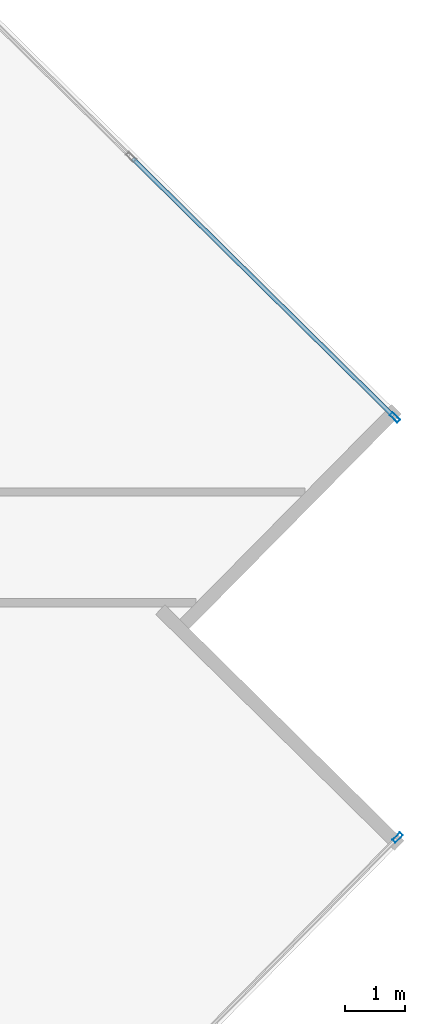
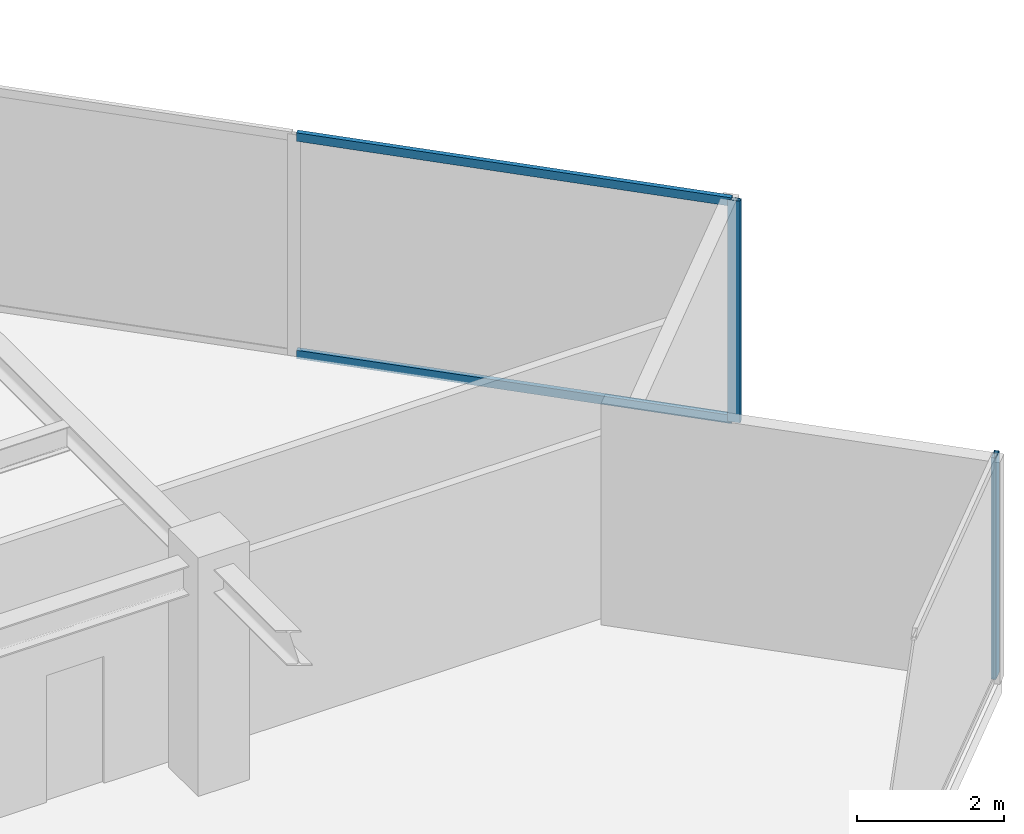
# One storey, part 12 of 24: 4 members, 2 elements without a shape of their own.
"""IFC4 building model written with IfcOpenShell, lengths in metres."""

from ifc_helpers import new_model, si_unit, direction, frame, origin, origin_2d, place, context, subcontext, project, spatial, hollow_rectangle, extrude, source, transform, mapped, material, material_profile, profile_set, type_object, type_shapes, element, aggregate, save


model = new_model("IFC4")

# Units and contexts
model_context = context("Model", 3, precision=1e-05, world=origin(), true_north=direction((0.0, 1.0)))
body_context = subcontext(model_context, "Body", "Model", "MODEL_VIEW")
ifc_project = project(units=[si_unit("LENGTHUNIT", "METRE"), si_unit("AREAUNIT", "SQUARE_METRE"), si_unit("VOLUMEUNIT", "CUBIC_METRE"), si_unit("PLANEANGLEUNIT", "RADIAN"), si_unit("MASSUNIT", "GRAM", prefix="KILO")], contexts=[model_context])

# Site, building, storey
site_placement = place(None, origin())
site = spatial("IfcSite", under=ifc_project, at=site_placement, CompositionType="ELEMENT")
building_placement = place(site_placement, origin())
building = spatial("IfcBuilding", under=site, at=building_placement, Name="Krantzveldt Concourse Tower", CompositionType="ELEMENT")
storey_placement = place(building_placement, frame((0.0, 0.0, 231.0)))
storey = spatial("IfcBuildingStorey", under=building, at=storey_placement, Name="L56", CompositionType="ELEMENT", Elevation=231.0)

# Curtain wall, member
ifc_material = material(Name="Anodised aluminium 6063-T6", Category="aluminium")
curtain_wall_type = type_object("IfcCurtainWallType", Name="CW3", PredefinedType="USERDEFINED", material=ifc_material)
curtain_wall_1_placement = place(storey_placement, origin())
curtain_wall_1 = element("IfcCurtainWall", 1, at=curtain_wall_1_placement, inside=storey, type_object=curtain_wall_type, Name="CW-L56-F07", ObjectType="UNITISED CURTAIN WALL", PredefinedType="USERDEFINED")
ifc_material_profile_1 = material_profile(ifc_material, hollow_rectangle(XDim=0.070068359375, YDim=0.179931640625, WallThickness=0.0048828125, at=origin_2d()), Name="Anodised aluminium 6063-T6", Category="aluminium")
ifc_profile_set_1 = profile_set([ifc_material_profile_1], Name="Anodised aluminium 6063-T6 - ALU-MULL 180x70x5")
member_type_1 = type_object("IfcMemberType", Name="CW-MUL-180", PredefinedType="MULLION", material=ifc_profile_set_1)
shared_shape_1 = source(origin(), body_context, "Body", "SweptSolid", [
    extrude(hollow_rectangle(XDim=0.070068359375, YDim=0.179931640625, WallThickness=0.0048828125, at=origin_2d()), origin(), (0.0, 0.0, 1.0), 3.669921875),
])
type_shapes(member_type_1, [shared_shape_1])
member_1_placement = place(storey_placement, frame((61.389892578125, 23.369384765625, 0.0), z_axis=(0.0, 0.0, 1.0), x_axis=(-0.711719700179, 0.702463570854, 0.0)))
member_1 = element("IfcMember", 2, at=member_1_placement, type_object=member_type_1, Name="CW-Z34 mullion 6", PredefinedType="MULLION", context=body_context, shape_type="MappedRepresentation", body=[
    mapped(shared_shape_1, transform((0.0, 0.0, 0.0), x_axis=(1.0, 0.0, 0.0), y_axis=(0.0, 1.0, 0.0), z_axis=(0.0, 0.0, 1.0), scale=1.0)),
])
aggregate(curtain_wall_1, [member_1])

# Curtain wall, members
curtain_wall_2_placement = place(storey_placement, origin())
curtain_wall_2 = element("IfcCurtainWall", 3, at=curtain_wall_2_placement, inside=storey, type_object=curtain_wall_type, Name="CW-L56-F10", ObjectType="UNITISED CURTAIN WALL", PredefinedType="USERDEFINED")
member_2_placement = place(storey_placement, frame((61.343994140625, 30.362548828125, 0.0), z_axis=(0.0, 0.0, 1.0), x_axis=(-0.702463570854, -0.711719700179, 0.0)))
member_2 = element("IfcMember", 4, at=member_2_placement, type_object=member_type_1, Name="CW-Z34 mullion 1", PredefinedType="MULLION", context=body_context, shape_type="MappedRepresentation", body=[
    mapped(shared_shape_1, transform((0.0, 0.0, 0.0), x_axis=(1.0, 0.0, 0.0), y_axis=(0.0, 1.0, 0.0), z_axis=(0.0, 0.0, 1.0), scale=1.0)),
])
ifc_material_profile_2 = material_profile(ifc_material, hollow_rectangle(XDim=0.070068359375, YDim=0.139892578125, WallThickness=0.0048828125, at=origin_2d()), Name="Anodised aluminium 6063-T6", Category="aluminium")
ifc_profile_set_2 = profile_set([ifc_material_profile_2], Name="Anodised aluminium 6063-T6 - ALU-TRAN 140x70x5")
member_type_2 = type_object("IfcMemberType", Name="CW-TRN-150", PredefinedType="USERDEFINED", material=ifc_profile_set_2)
shared_shape_2 = source(origin(), body_context, "Body", "SweptSolid", [
    extrude(hollow_rectangle(XDim=0.070068359375, YDim=0.139892578125, WallThickness=0.0048828125, at=origin_2d()), origin(), (0.0, 0.0, 1.0), 6.094970703125),
])
type_shapes(member_type_2, [shared_shape_2])
member_3_placement = place(storey_placement, frame((61.319091796875, 30.38720703125, 0.034912109375), z_axis=(-0.711718134154, 0.702465157511, 0.0), x_axis=(-0.702465157511, -0.711718134154, 0.0)))
member_3 = element("IfcMember", 5, at=member_3_placement, type_object=member_type_2, Name="CW-Z34 transom 1.1", ObjectType="TRANSOM", PredefinedType="USERDEFINED", context=body_context, shape_type="MappedRepresentation", body=[
    mapped(shared_shape_2, transform((0.0, 0.0, 0.0), x_axis=(1.0, 0.0, 0.0), y_axis=(0.0, 1.0, 0.0), z_axis=(0.0, 0.0, 1.0), scale=1.0)),
])
member_4_placement = place(storey_placement, frame((61.319091796875, 30.38720703125, 3.635009765625), z_axis=(-0.711718134154, 0.702465157511, 0.0), x_axis=(-0.702465157511, -0.711718134154, 0.0)))
member_4 = element("IfcMember", 6, at=member_4_placement, type_object=member_type_2, Name="CW-Z34 transom 1.2", ObjectType="TRANSOM", PredefinedType="USERDEFINED", context=body_context, shape_type="MappedRepresentation", body=[
    mapped(shared_shape_2, transform((0.0, 0.0, 0.0), x_axis=(1.0, 0.0, 0.0), y_axis=(0.0, 1.0, 0.0), z_axis=(0.0, 0.0, 1.0), scale=1.0)),
])
aggregate(curtain_wall_2, [member_2, member_3, member_4])

save(model, "model.ifc")
